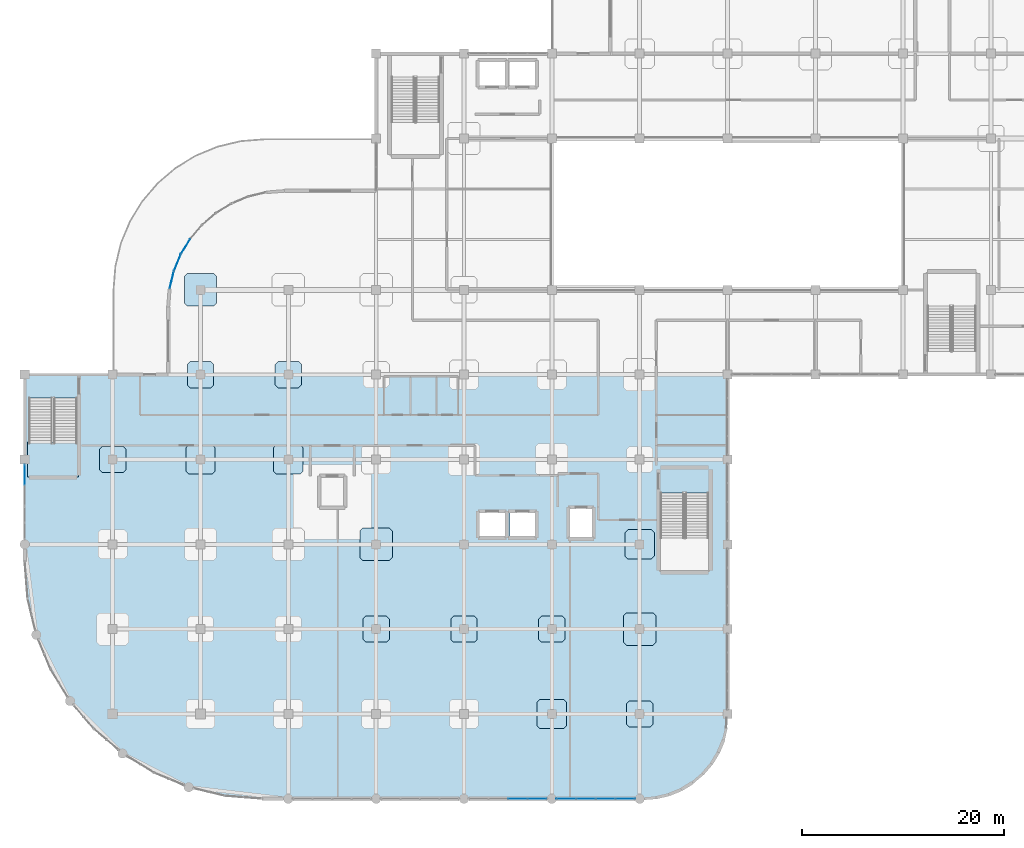
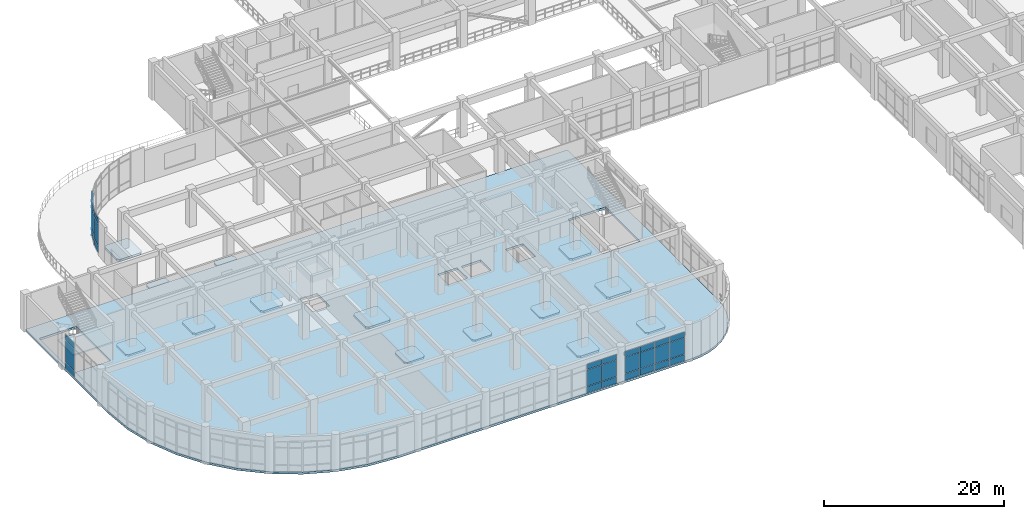
# One storey, part 87 of 120: 31 plates, 16 slabs, 7 elements without a shape of their own.
"""IFC4 building model written with IfcOpenShell, lengths in metres."""

from ifc_helpers import new_model, si_unit, derived_unit, direction, frame, origin, origin_2d, place, context, subcontext, project, spatial, polyline, rectangle, outline, extrude, material, layer, layer_set, type_object, element, aggregate, save


model = new_model("IFC4")

# Units and contexts
model_context = context("Model", 3, precision=1e-05, world=origin(), true_north=direction((0.0, 1.0)))
body_context = subcontext(model_context, "Body", "Model", "MODEL_VIEW")
ifc_project = project(units=[si_unit("LENGTHUNIT", "METRE"), si_unit("AREAUNIT", "SQUARE_METRE"), si_unit("VOLUMEUNIT", "CUBIC_METRE"), si_unit("PLANEANGLEUNIT", "RADIAN"), si_unit("MASSUNIT", "GRAM", prefix="KILO"), derived_unit("THERMALTRANSMITTANCEUNIT", [(si_unit("MASSUNIT", "GRAM", prefix="KILO"), 1), (si_unit("TIMEUNIT", "SECOND"), -3), (si_unit("THERMODYNAMICTEMPERATUREUNIT", "KELVIN"), -1)])], contexts=[model_context])

# Site, building, storey
site_placement = place(None, origin())
site = spatial("IfcSite", under=ifc_project, at=site_placement, CompositionType="ELEMENT")
building_placement = place(site_placement, origin())
building = spatial("IfcBuilding", under=site, at=building_placement, Name="Qinzheling Arcade Emporium", CompositionType="ELEMENT")
storey_placement = place(building_placement, frame((0.0, 0.0, 11.39990234375)))
storey = spatial("IfcBuildingStorey", under=building, at=storey_placement, Name="L03", CompositionType="ELEMENT", Elevation=11.39990234375)

# Slabs
ifc_material_1 = material(Name="Concrete C40", Category="concrete")
ifc_layer_1 = layer(ifc_material_1, 0.235107421875, Name="Concrete C40", Category="concrete")
ifc_layer_set_1 = layer_set([ifc_layer_1], Name="Concrete C40")
slab_type_1 = type_object("IfcSlabType", Name="Column Head Drop Panel 2600x2600x235 C40", PredefinedType="USERDEFINED", material=ifc_layer_set_1)
slab_1_placement = place(storey_placement, frame((0.0, 0.0, -0.514892578125)))
element("IfcSlab", 1, at=slab_1_placement, inside=storey, type_object=slab_type_1, Name="Column Drop Panel DP-L03-2-E", ObjectType="DROP_PANEL", PredefinedType="USERDEFINED", context=body_context, shape_type="SweptSolid", body=[
    extrude(outline(polyline([(7.679931640625, 32.300048828125), (9.719970703125, 32.300048828125), (10.0, 32.580078125), (10.0, 34.6201171875), (9.719970703125, 34.89990234375), (7.679931640625, 34.89990234375), (7.39990234375, 34.6201171875), (7.39990234375, 32.580078125), (7.679931640625, 32.300048828125)])), origin(), (0.0, 0.0, 1.0), 0.235107421875),
])
slab_2_placement = place(storey_placement, frame((0.0, 0.0, -0.514892578125)))
element("IfcSlab", 2, at=slab_2_placement, inside=storey, type_object=slab_type_1, Name="Column Drop Panel DP-L03-3-F", ObjectType="DROP_PANEL", PredefinedType="USERDEFINED", context=body_context, shape_type="SweptSolid", body=[
    extrude(outline(polyline([(16.3798828125, 40.699951171875), (18.419921875, 40.699951171875), (18.699951171875, 40.97998046875), (18.699951171875, 43.02001953125), (18.419921875, 43.300048828125), (16.3798828125, 43.300048828125), (16.10009765625, 43.02001953125), (16.10009765625, 40.97998046875), (16.3798828125, 40.699951171875)])), origin(), (0.0, 0.0, 1.0), 0.235107421875),
])
slab_3_placement = place(storey_placement, frame((0.0, 0.0, -0.514892578125)))
element("IfcSlab", 3, at=slab_3_placement, inside=storey, type_object=slab_type_1, Name="Column Drop Panel DP-L03-4-F", ObjectType="DROP_PANEL", PredefinedType="USERDEFINED", context=body_context, shape_type="SweptSolid", body=[
    extrude(outline(polyline([(25.080078125, 40.699951171875), (27.1201171875, 40.699951171875), (27.39990234375, 40.97998046875), (27.39990234375, 43.02001953125), (27.1201171875, 43.300048828125), (25.080078125, 43.300048828125), (24.800048828125, 43.02001953125), (24.800048828125, 40.97998046875), (25.080078125, 40.699951171875)])), origin(), (0.0, 0.0, 1.0), 0.235107421875),
])
slab_4_placement = place(storey_placement, frame((0.0, 0.0, -0.514892578125)))
element("IfcSlab", 4, at=slab_4_placement, inside=storey, type_object=slab_type_1, Name="Column Drop Panel DP-L03-5-C", ObjectType="DROP_PANEL", PredefinedType="USERDEFINED", context=body_context, shape_type="SweptSolid", body=[
    extrude(outline(polyline([(33.780029296875, 15.5), (35.820068359375, 15.5), (36.10009765625, 15.780029296875), (36.10009765625, 17.820068359375), (35.820068359375, 18.10009765625), (33.780029296875, 18.10009765625), (33.5, 17.820068359375), (33.5, 15.780029296875), (33.780029296875, 15.5)])), origin(), (0.0, 0.0, 1.0), 0.235107421875),
])
slab_5_placement = place(storey_placement, frame((0.0, 0.0, -0.514892578125)))
element("IfcSlab", 5, at=slab_5_placement, inside=storey, type_object=slab_type_1, Name="Column Drop Panel DP-L03-6-C", ObjectType="DROP_PANEL", PredefinedType="USERDEFINED", context=body_context, shape_type="SweptSolid", body=[
    extrude(outline(polyline([(42.47998046875, 15.5), (44.52001953125, 15.5), (44.800048828125, 15.780029296875), (44.800048828125, 17.820068359375), (44.52001953125, 18.10009765625), (42.47998046875, 18.10009765625), (42.199951171875, 17.820068359375), (42.199951171875, 15.780029296875), (42.47998046875, 15.5)])), origin(), (0.0, 0.0, 1.0), 0.235107421875),
])
slab_6_placement = place(storey_placement, frame((0.0, 0.0, -0.514892578125)))
element("IfcSlab", 6, at=slab_6_placement, inside=storey, type_object=slab_type_1, Name="Column Drop Panel DP-L03-7-C", ObjectType="DROP_PANEL", PredefinedType="USERDEFINED", context=body_context, shape_type="SweptSolid", body=[
    extrude(outline(polyline([(51.179931640625, 15.5), (53.219970703125, 15.5), (53.5, 15.780029296875), (53.5, 17.820068359375), (53.219970703125, 18.10009765625), (51.179931640625, 18.10009765625), (50.89990234375, 17.820068359375), (50.89990234375, 15.780029296875), (51.179931640625, 15.5)])), origin(), (0.0, 0.0, 1.0), 0.235107421875),
])
slab_7_placement = place(storey_placement, frame((0.0, 0.0, -0.514892578125)))
element("IfcSlab", 7, at=slab_7_placement, inside=storey, type_object=slab_type_1, Name="Column Drop Panel DP-L03-8-B", ObjectType="DROP_PANEL", PredefinedType="USERDEFINED", context=body_context, shape_type="SweptSolid", body=[
    extrude(outline(polyline([(59.8798828125, 7.10009765625), (61.919921875, 7.10009765625), (62.199951171875, 7.3798828125), (62.199951171875, 9.419921875), (61.919921875, 9.699951171875), (59.8798828125, 9.699951171875), (59.60009765625, 9.419921875), (59.60009765625, 7.3798828125), (59.8798828125, 7.10009765625)])), origin(), (0.0, 0.0, 1.0), 0.235107421875),
])
ifc_layer_2 = layer(ifc_material_1, 0.27001953125, Name="Concrete C40", Category="concrete")
ifc_layer_set_2 = layer_set([ifc_layer_2], Name="Concrete C40")
slab_type_2 = type_object("IfcSlabType", Name="Column Head Drop Panel 2900x2900x270 C40", PredefinedType="USERDEFINED", material=ifc_layer_set_2)
slab_8_placement = place(storey_placement, frame((0.0, 0.0, -0.5498046875)))
element("IfcSlab", 8, at=slab_8_placement, inside=storey, type_object=slab_type_2, Name="Column Drop Panel DP-L03-3-E", ObjectType="DROP_PANEL", PredefinedType="USERDEFINED", context=body_context, shape_type="SweptSolid", body=[
    extrude(outline(polyline([(16.22998046875, 32.14990234375), (18.570068359375, 32.14990234375), (18.85009765625, 32.429931640625), (18.85009765625, 34.77001953125), (18.570068359375, 35.050048828125), (16.22998046875, 35.050048828125), (15.949951171875, 34.77001953125), (15.949951171875, 32.429931640625), (16.22998046875, 32.14990234375)])), origin(), (0.0, 0.0, 1.0), 0.27001953125),
])
slab_9_placement = place(storey_placement, frame((0.0, 0.0, -0.5498046875)))
element("IfcSlab", 9, at=slab_9_placement, inside=storey, type_object=slab_type_2, Name="Column Drop Panel DP-L03-4-E", ObjectType="DROP_PANEL", PredefinedType="USERDEFINED", context=body_context, shape_type="SweptSolid", body=[
    extrude(outline(polyline([(24.929931640625, 32.14990234375), (27.27001953125, 32.14990234375), (27.550048828125, 32.429931640625), (27.550048828125, 34.77001953125), (27.27001953125, 35.050048828125), (24.929931640625, 35.050048828125), (24.64990234375, 34.77001953125), (24.64990234375, 32.429931640625), (24.929931640625, 32.14990234375)])), origin(), (0.0, 0.0, 1.0), 0.27001953125),
])
slab_10_placement = place(storey_placement, frame((0.0, 0.0, -0.5498046875)))
element("IfcSlab", 10, at=slab_10_placement, inside=storey, type_object=slab_type_2, Name="Column Drop Panel DP-L03-7-B", ObjectType="DROP_PANEL", PredefinedType="USERDEFINED", context=body_context, shape_type="SweptSolid", body=[
    extrude(outline(polyline([(51.030029296875, 6.949951171875), (53.3701171875, 6.949951171875), (53.64990234375, 7.22998046875), (53.64990234375, 9.570068359375), (53.3701171875, 9.85009765625), (51.030029296875, 9.85009765625), (50.75, 9.570068359375), (50.75, 7.22998046875), (51.030029296875, 6.949951171875)])), origin(), (0.0, 0.0, 1.0), 0.27001953125),
])
slab_11_placement = place(storey_placement, frame((0.0, 0.0, -0.5498046875)))
element("IfcSlab", 11, at=slab_11_placement, inside=storey, type_object=slab_type_2, Name="Column Drop Panel DP-L03-8-D", ObjectType="DROP_PANEL", PredefinedType="USERDEFINED", context=body_context, shape_type="SweptSolid", body=[
    extrude(outline(polyline([(59.72998046875, 23.75), (62.070068359375, 23.75), (62.35009765625, 24.030029296875), (62.35009765625, 26.3701171875), (62.070068359375, 26.64990234375), (59.72998046875, 26.64990234375), (59.449951171875, 26.3701171875), (59.449951171875, 24.030029296875), (59.72998046875, 23.75)])), origin(), (0.0, 0.0, 1.0), 0.27001953125),
])
ifc_layer_3 = layer(ifc_material_1, 0.300048828125, Name="Concrete C40", Category="concrete")
ifc_layer_set_3 = layer_set([ifc_layer_3], Name="Concrete C40")
slab_type_3 = type_object("IfcSlabType", Name="Column Head Drop Panel 3200x3200x300 C40", PredefinedType="USERDEFINED", material=ifc_layer_set_3)
slab_12_placement = place(storey_placement, frame((0.0, 0.0, -0.579833984375)))
element("IfcSlab", 12, at=slab_12_placement, inside=storey, type_object=slab_type_3, Name="Column Drop Panel DP-L03-3-G", ObjectType="DROP_PANEL", PredefinedType="USERDEFINED", context=body_context, shape_type="SweptSolid", body=[
    extrude(outline(polyline([(16.080078125, 48.800048828125), (18.719970703125, 48.800048828125), (19.0, 49.080078125), (19.0, 51.719970703125), (18.719970703125, 52.0), (16.080078125, 52.0), (15.800048828125, 51.719970703125), (15.800048828125, 49.080078125), (16.080078125, 48.800048828125)])), origin(), (0.0, 0.0, 1.0), 0.300048828125),
])
slab_13_placement = place(storey_placement, frame((0.0, 0.0, -0.579833984375)))
element("IfcSlab", 13, at=slab_13_placement, inside=storey, type_object=slab_type_3, Name="Column Drop Panel DP-L03-5-D", ObjectType="DROP_PANEL", PredefinedType="USERDEFINED", context=body_context, shape_type="SweptSolid", body=[
    extrude(outline(polyline([(33.47998046875, 23.60009765625), (36.1201171875, 23.60009765625), (36.39990234375, 23.8798828125), (36.39990234375, 26.52001953125), (36.1201171875, 26.800048828125), (33.47998046875, 26.800048828125), (33.199951171875, 26.52001953125), (33.199951171875, 23.8798828125), (33.47998046875, 23.60009765625)])), origin(), (0.0, 0.0, 1.0), 0.300048828125),
])
slab_14_placement = place(storey_placement, frame((0.0, 0.0, -0.579833984375)))
element("IfcSlab", 14, at=slab_14_placement, inside=storey, type_object=slab_type_3, Name="Column Drop Panel DP-L03-8-C", ObjectType="DROP_PANEL", PredefinedType="USERDEFINED", context=body_context, shape_type="SweptSolid", body=[
    extrude(outline(polyline([(59.580078125, 15.199951171875), (62.219970703125, 15.199951171875), (62.5, 15.47998046875), (62.5, 18.1201171875), (62.219970703125, 18.39990234375), (59.580078125, 18.39990234375), (59.300048828125, 18.1201171875), (59.300048828125, 15.47998046875), (59.580078125, 15.199951171875)])), origin(), (0.0, 0.0, 1.0), 0.300048828125),
])

# Curtain wall, plates
ifc_material_2 = material(Name="Anodised aluminium and solar-control double glazing", Category="aluminium")
ifc_layer_4 = layer(ifc_material_2, 0.159912109375, Name="Anodised aluminium and solar-control double glazing", Category="aluminium")
ifc_layer_set_4 = layer_set([ifc_layer_4], Name="Anodised aluminium and solar-control double glazing")
curtain_wall_type_1 = type_object("IfcCurtainWallType", Name="Arcade Portal Glazed Curtain Wall", PredefinedType="NOTDEFINED", material=ifc_layer_set_4)
curtain_wall_1_placement = place(storey_placement, origin())
curtain_wall_1 = element("IfcCurtainWall", 15, at=curtain_wall_1_placement, inside=storey, type_object=curtain_wall_type_1, Name="Curtain Wall CW-L03-164", PredefinedType="NOTDEFINED")
ifc_material_3 = material(Name="Laminated solar-control double glazing", Category="glass")
ifc_layer_5 = layer(ifc_material_3, 0.028076171875, Name="Laminated solar-control double glazing", Category="glass")
ifc_layer_set_5 = layer_set([ifc_layer_5], Name="Laminated solar-control double glazing")
plate_type_1 = type_object("IfcPlateType", Name="Low-E Double Glazed Curtain Panel 28mm", PredefinedType="CURTAIN_PANEL", material=ifc_layer_set_5)
plate_1_placement = place(storey_placement, frame((0.0, 32.095947265625, 0.06005859375), z_axis=(0.0, 0.0, 1.0), x_axis=(0.0, 1.0, 0.0)))
plate_1 = element("IfcPlate", 16, at=plate_1_placement, type_object=plate_type_1, Name="CW05 panel 2.1", PredefinedType="CURTAIN_PANEL", context=body_context, shape_type="SweptSolid", body=[
    extrude(rectangle(XDim=1.98388671875, YDim=0.028076171875, at=origin_2d()), origin(), (0.0, 0.0, 1.0), 0.860107421875),
])
plate_2_placement = place(storey_placement, frame((0.0, 32.095947265625, 0.97998046875), z_axis=(0.0, 0.0, 1.0), x_axis=(0.0, 1.0, 0.0)))
plate_2 = element("IfcPlate", 17, at=plate_2_placement, type_object=plate_type_1, Name="CW05 panel 2.2", PredefinedType="CURTAIN_PANEL", context=body_context, shape_type="SweptSolid", body=[
    extrude(rectangle(XDim=1.98388671875, YDim=0.028076171875, at=origin_2d()), origin(), (0.0, 0.0, 1.0), 2.929931640625),
])
plate_3_placement = place(storey_placement, frame((0.0, 32.095947265625, 3.97021484375), z_axis=(0.0, 0.0, 1.0), x_axis=(0.0, 1.0, 0.0)))
plate_3 = element("IfcPlate", 18, at=plate_3_placement, type_object=plate_type_1, Name="CW05 panel 2.3", PredefinedType="CURTAIN_PANEL", context=body_context, shape_type="SweptSolid", body=[
    extrude(rectangle(XDim=1.98388671875, YDim=0.028076171875, at=origin_2d()), origin(), (0.0, 0.0, 1.0), 0.760009765625),
])
aggregate(curtain_wall_1, [plate_1, plate_2, plate_3])

curtain_wall_2_placement = place(storey_placement, origin())
curtain_wall_2 = element("IfcCurtainWall", 19, at=curtain_wall_2_placement, inside=storey, type_object=curtain_wall_type_1, Name="Curtain Wall CW-L03-149", PredefinedType="NOTDEFINED")
ifc_layer_6 = layer(ifc_material_3, 0.029052734375, Name="Laminated solar-control double glazing", Category="glass")
ifc_layer_set_6 = layer_set([ifc_layer_6], Name="Laminated solar-control double glazing")
plate_type_2 = type_object("IfcPlateType", Name="Low-E Double Glazed Curtain Panel 29mm", PredefinedType="CURTAIN_PANEL", material=ifc_layer_set_6)
plate_4_placement = place(storey_placement, frame((59.439697265625, 0.0, 0.06005859375), z_axis=(0.0, 0.0, 1.0), x_axis=(-1.0, 0.0, 0.0)))
plate_4 = element("IfcPlate", 20, at=plate_4_placement, type_object=plate_type_2, Name="CW05 panel 1.1", PredefinedType="CURTAIN_PANEL", context=body_context, shape_type="SweptSolid", body=[
    extrude(rectangle(XDim=1.846435546875, YDim=0.029052734375, at=origin_2d()), origin(), (0.0, 0.0, 1.0), 0.860107421875),
])
plate_5_placement = place(storey_placement, frame((59.439697265625, 0.0, 0.97998046875), z_axis=(0.0, 0.0, 1.0), x_axis=(-1.0, 0.0, 0.0)))
plate_5 = element("IfcPlate", 21, at=plate_5_placement, type_object=plate_type_2, Name="CW05 panel 1.2", PredefinedType="CURTAIN_PANEL", context=body_context, shape_type="SweptSolid", body=[
    extrude(rectangle(XDim=1.846435546875, YDim=0.029052734375, at=origin_2d()), origin(), (0.0, 0.0, 1.0), 2.195068359375),
])
plate_6_placement = place(storey_placement, frame((59.439697265625, 0.0, 3.23486328125), z_axis=(0.0, 0.0, 1.0), x_axis=(-1.0, 0.0, 0.0)))
plate_6 = element("IfcPlate", 22, at=plate_6_placement, type_object=plate_type_2, Name="CW05 panel 1.3", PredefinedType="CURTAIN_PANEL", context=body_context, shape_type="SweptSolid", body=[
    extrude(rectangle(XDim=1.846435546875, YDim=0.029052734375, at=origin_2d()), origin(), (0.0, 0.0, 1.0), 0.760009765625),
])
plate_7_placement = place(storey_placement, frame((57.518310546875, 0.0, 0.06005859375), z_axis=(0.0, 0.0, 1.0), x_axis=(-1.0, 0.0, 0.0)))
plate_7 = element("IfcPlate", 23, at=plate_7_placement, type_object=plate_type_2, Name="CW05 panel 2.1", PredefinedType="CURTAIN_PANEL", context=body_context, shape_type="SweptSolid", body=[
    extrude(rectangle(XDim=1.87646484375, YDim=0.029052734375, at=origin_2d()), origin(), (0.0, 0.0, 1.0), 0.860107421875),
])
plate_8_placement = place(storey_placement, frame((57.518310546875, 0.0, 0.97998046875), z_axis=(0.0, 0.0, 1.0), x_axis=(-1.0, 0.0, 0.0)))
plate_8 = element("IfcPlate", 24, at=plate_8_placement, type_object=plate_type_2, Name="CW05 panel 2.2", PredefinedType="CURTAIN_PANEL", context=body_context, shape_type="SweptSolid", body=[
    extrude(rectangle(XDim=1.87646484375, YDim=0.029052734375, at=origin_2d()), origin(), (0.0, 0.0, 1.0), 2.195068359375),
])
plate_9_placement = place(storey_placement, frame((57.518310546875, 0.0, 3.23486328125), z_axis=(0.0, 0.0, 1.0), x_axis=(-1.0, 0.0, 0.0)))
plate_9 = element("IfcPlate", 25, at=plate_9_placement, type_object=plate_type_2, Name="CW05 panel 2.3", PredefinedType="CURTAIN_PANEL", context=body_context, shape_type="SweptSolid", body=[
    extrude(rectangle(XDim=1.87646484375, YDim=0.029052734375, at=origin_2d()), origin(), (0.0, 0.0, 1.0), 0.760009765625),
])
plate_10_placement = place(storey_placement, frame((55.581787109375, 0.0, 0.06005859375), z_axis=(0.0, 0.0, 1.0), x_axis=(-1.0, 0.0, 0.0)))
plate_10 = element("IfcPlate", 26, at=plate_10_placement, type_object=plate_type_2, Name="CW05 panel 3.1", PredefinedType="CURTAIN_PANEL", context=body_context, shape_type="SweptSolid", body=[
    extrude(rectangle(XDim=1.87646484375, YDim=0.029052734375, at=origin_2d()), origin(), (0.0, 0.0, 1.0), 0.860107421875),
])
plate_11_placement = place(storey_placement, frame((55.581787109375, 0.0, 0.97998046875), z_axis=(0.0, 0.0, 1.0), x_axis=(-1.0, 0.0, 0.0)))
plate_11 = element("IfcPlate", 27, at=plate_11_placement, type_object=plate_type_2, Name="CW05 panel 3.2", PredefinedType="CURTAIN_PANEL", context=body_context, shape_type="SweptSolid", body=[
    extrude(rectangle(XDim=1.87646484375, YDim=0.029052734375, at=origin_2d()), origin(), (0.0, 0.0, 1.0), 2.195068359375),
])
plate_12_placement = place(storey_placement, frame((55.581787109375, 0.0, 3.23486328125), z_axis=(0.0, 0.0, 1.0), x_axis=(-1.0, 0.0, 0.0)))
plate_12 = element("IfcPlate", 28, at=plate_12_placement, type_object=plate_type_2, Name="CW05 panel 3.3", PredefinedType="CURTAIN_PANEL", context=body_context, shape_type="SweptSolid", body=[
    extrude(rectangle(XDim=1.87646484375, YDim=0.029052734375, at=origin_2d()), origin(), (0.0, 0.0, 1.0), 0.760009765625),
])
plate_13_placement = place(storey_placement, frame((53.66015625, 0.0, 0.06005859375), z_axis=(0.0, 0.0, 1.0), x_axis=(-1.0, 0.0, 0.0)))
plate_13 = element("IfcPlate", 29, at=plate_13_placement, type_object=plate_type_2, Name="CW05 panel 4.1", PredefinedType="CURTAIN_PANEL", context=body_context, shape_type="SweptSolid", body=[
    extrude(rectangle(XDim=1.846435546875, YDim=0.029052734375, at=origin_2d()), origin(), (0.0, 0.0, 1.0), 0.860107421875),
])
plate_14_placement = place(storey_placement, frame((53.66015625, 0.0, 0.97998046875), z_axis=(0.0, 0.0, 1.0), x_axis=(-1.0, 0.0, 0.0)))
plate_14 = element("IfcPlate", 30, at=plate_14_placement, type_object=plate_type_2, Name="CW05 panel 4.2", PredefinedType="CURTAIN_PANEL", context=body_context, shape_type="SweptSolid", body=[
    extrude(rectangle(XDim=1.846435546875, YDim=0.029052734375, at=origin_2d()), origin(), (0.0, 0.0, 1.0), 2.195068359375),
])
plate_15_placement = place(storey_placement, frame((53.66015625, 0.0, 3.23486328125), z_axis=(0.0, 0.0, 1.0), x_axis=(-1.0, 0.0, 0.0)))
plate_15 = element("IfcPlate", 31, at=plate_15_placement, type_object=plate_type_2, Name="CW05 panel 4.3", PredefinedType="CURTAIN_PANEL", context=body_context, shape_type="SweptSolid", body=[
    extrude(rectangle(XDim=1.846435546875, YDim=0.029052734375, at=origin_2d()), origin(), (0.0, 0.0, 1.0), 0.760009765625),
])
aggregate(curtain_wall_2, [plate_4, plate_5, plate_6, plate_7, plate_8, plate_9, plate_10, plate_11, plate_12, plate_13, plate_14, plate_15])

ifc_layer_7 = layer(ifc_material_2, 0.159912109375, Name="Anodised aluminium and solar-control double glazing", Category="aluminium")
ifc_layer_set_7 = layer_set([ifc_layer_7], Name="Anodised aluminium and solar-control double glazing")
curtain_wall_type_2 = type_object("IfcCurtainWallType", Name="Curved Ribbon Sales Curtain Wall", PredefinedType="NOTDEFINED", material=ifc_layer_set_7)
curtain_wall_3_placement = place(storey_placement, origin())
curtain_wall_3 = element("IfcCurtainWall", 32, at=curtain_wall_3_placement, inside=storey, type_object=curtain_wall_type_2, Name="Curtain Wall CW-L03-165", PredefinedType="NOTDEFINED")
plate_16_placement = place(storey_placement, frame((14.552490234375, 51.37646484375, 0.06005859375), z_axis=(0.0, 0.0, 1.0), x_axis=(0.23326817027, 0.972412443739, 0.0)))
plate_16 = element("IfcPlate", 33, at=plate_16_placement, type_object=plate_type_2, Name="CW02 panel 1.1", PredefinedType="CURTAIN_PANEL", context=body_context, shape_type="SweptSolid", body=[
    extrude(rectangle(XDim=1.684814453125, YDim=0.029052734375, at=origin_2d()), origin(), (0.0, 0.0, 1.0), 0.860107421875),
])
plate_17_placement = place(storey_placement, frame((14.552490234375, 51.37646484375, 0.97998046875), z_axis=(0.0, 0.0, 1.0), x_axis=(0.23326817027, 0.972412443739, 0.0)))
plate_17 = element("IfcPlate", 34, at=plate_17_placement, type_object=plate_type_2, Name="CW02 panel 1.2", PredefinedType="CURTAIN_PANEL", context=body_context, shape_type="SweptSolid", body=[
    extrude(rectangle(XDim=1.684814453125, YDim=0.029052734375, at=origin_2d()), origin(), (0.0, 0.0, 1.0), 2.929931640625),
])
plate_18_placement = place(storey_placement, frame((14.552490234375, 51.37646484375, 3.97021484375), z_axis=(0.0, 0.0, 1.0), x_axis=(0.23326817027, 0.972412443739, 0.0)))
plate_18 = element("IfcPlate", 35, at=plate_18_placement, type_object=plate_type_2, Name="CW02 panel 1.3", PredefinedType="CURTAIN_PANEL", context=body_context, shape_type="SweptSolid", body=[
    extrude(rectangle(XDim=1.684814453125, YDim=0.029052734375, at=origin_2d()), origin(), (0.0, 0.0, 1.0), 0.760009765625),
])
aggregate(curtain_wall_3, [plate_16, plate_17, plate_18])

curtain_wall_4_placement = place(storey_placement, origin())
curtain_wall_4 = element("IfcCurtainWall", 36, at=curtain_wall_4_placement, inside=storey, type_object=curtain_wall_type_1, Name="Curtain Wall CW-L03-150", PredefinedType="NOTDEFINED")
ifc_layer_8 = layer(ifc_material_3, 0.030029296875, Name="Laminated solar-control double glazing", Category="glass")
ifc_layer_set_8 = layer_set([ifc_layer_8], Name="Laminated solar-control double glazing")
plate_type_3 = type_object("IfcPlateType", Name="Low-E Double Glazed Curtain Panel 30mm", PredefinedType="CURTAIN_PANEL", material=ifc_layer_set_8)
plate_19_placement = place(storey_placement, frame((50.73974609375, 0.0, 0.06005859375), z_axis=(0.0, 0.0, 1.0), x_axis=(-1.0, 0.0, 0.0)))
plate_19 = element("IfcPlate", 37, at=plate_19_placement, type_object=plate_type_3, Name="CW05 panel 1.1", PredefinedType="CURTAIN_PANEL", context=body_context, shape_type="SweptSolid", body=[
    extrude(rectangle(XDim=1.846435546875, YDim=0.030029296875, at=origin_2d()), origin(), (0.0, 0.0, 1.0), 0.860107421875),
])
plate_20_placement = place(storey_placement, frame((50.73974609375, 0.0, 0.97998046875), z_axis=(0.0, 0.0, 1.0), x_axis=(-1.0, 0.0, 0.0)))
plate_20 = element("IfcPlate", 38, at=plate_20_placement, type_object=plate_type_3, Name="CW05 panel 1.2", PredefinedType="CURTAIN_PANEL", context=body_context, shape_type="SweptSolid", body=[
    extrude(rectangle(XDim=1.846435546875, YDim=0.030029296875, at=origin_2d()), origin(), (0.0, 0.0, 1.0), 2.195068359375),
])
plate_21_placement = place(storey_placement, frame((50.73974609375, 0.0, 3.23486328125), z_axis=(0.0, 0.0, 1.0), x_axis=(-1.0, 0.0, 0.0)))
plate_21 = element("IfcPlate", 39, at=plate_21_placement, type_object=plate_type_3, Name="CW05 panel 1.3", PredefinedType="CURTAIN_PANEL", context=body_context, shape_type="SweptSolid", body=[
    extrude(rectangle(XDim=1.846435546875, YDim=0.030029296875, at=origin_2d()), origin(), (0.0, 0.0, 1.0), 0.760009765625),
])
plate_22_placement = place(storey_placement, frame((48.818359375, 0.0, 0.06005859375), z_axis=(0.0, 0.0, 1.0), x_axis=(-1.0, 0.0, 0.0)))
plate_22 = element("IfcPlate", 40, at=plate_22_placement, type_object=plate_type_3, Name="CW05 panel 2.1", PredefinedType="CURTAIN_PANEL", context=body_context, shape_type="SweptSolid", body=[
    extrude(rectangle(XDim=1.87646484375, YDim=0.030029296875, at=origin_2d()), origin(), (0.0, 0.0, 1.0), 0.860107421875),
])
plate_23_placement = place(storey_placement, frame((48.818359375, 0.0, 0.97998046875), z_axis=(0.0, 0.0, 1.0), x_axis=(-1.0, 0.0, 0.0)))
plate_23 = element("IfcPlate", 41, at=plate_23_placement, type_object=plate_type_3, Name="CW05 panel 2.2", PredefinedType="CURTAIN_PANEL", context=body_context, shape_type="SweptSolid", body=[
    extrude(rectangle(XDim=1.87646484375, YDim=0.030029296875, at=origin_2d()), origin(), (0.0, 0.0, 1.0), 2.195068359375),
])
plate_24_placement = place(storey_placement, frame((48.818359375, 0.0, 3.23486328125), z_axis=(0.0, 0.0, 1.0), x_axis=(-1.0, 0.0, 0.0)))
plate_24 = element("IfcPlate", 42, at=plate_24_placement, type_object=plate_type_3, Name="CW05 panel 2.3", PredefinedType="CURTAIN_PANEL", context=body_context, shape_type="SweptSolid", body=[
    extrude(rectangle(XDim=1.87646484375, YDim=0.030029296875, at=origin_2d()), origin(), (0.0, 0.0, 1.0), 0.760009765625),
])
aggregate(curtain_wall_4, [plate_19, plate_20, plate_21, plate_22, plate_23, plate_24])

curtain_wall_5_placement = place(storey_placement, origin())
curtain_wall_5 = element("IfcCurtainWall", 43, at=curtain_wall_5_placement, inside=storey, type_object=curtain_wall_type_2, Name="Curtain Wall CW-L03-166", PredefinedType="NOTDEFINED")
plate_25_placement = place(storey_placement, frame((15.10791015625, 53.08740234375, 0.06005859375), z_axis=(0.0, 0.0, 1.0), x_axis=(0.382449703098, 0.92397631171, 0.0)))
plate_25 = element("IfcPlate", 44, at=plate_25_placement, type_object=plate_type_3, Name="CW02 panel 1.1", PredefinedType="CURTAIN_PANEL", context=body_context, shape_type="SweptSolid", body=[
    extrude(rectangle(XDim=1.68408203125, YDim=0.030029296875, at=origin_2d()), origin(), (0.0, 0.0, 1.0), 0.860107421875),
])
plate_26_placement = place(storey_placement, frame((15.10791015625, 53.08740234375, 0.97998046875), z_axis=(0.0, 0.0, 1.0), x_axis=(0.382449703098, 0.92397631171, 0.0)))
plate_26 = element("IfcPlate", 45, at=plate_26_placement, type_object=plate_type_3, Name="CW02 panel 1.2", PredefinedType="CURTAIN_PANEL", context=body_context, shape_type="SweptSolid", body=[
    extrude(rectangle(XDim=1.68408203125, YDim=0.030029296875, at=origin_2d()), origin(), (0.0, 0.0, 1.0), 2.929931640625),
])
plate_27_placement = place(storey_placement, frame((15.10791015625, 53.08740234375, 3.97021484375), z_axis=(0.0, 0.0, 1.0), x_axis=(0.382449703098, 0.92397631171, 0.0)))
plate_27 = element("IfcPlate", 46, at=plate_27_placement, type_object=plate_type_3, Name="CW02 panel 1.3", PredefinedType="CURTAIN_PANEL", context=body_context, shape_type="SweptSolid", body=[
    extrude(rectangle(XDim=1.68408203125, YDim=0.030029296875, at=origin_2d()), origin(), (0.0, 0.0, 1.0), 0.760009765625),
])
aggregate(curtain_wall_5, [plate_25, plate_26, plate_27])

curtain_wall_6_placement = place(storey_placement, origin())
curtain_wall_6 = element("IfcCurtainWall", 47, at=curtain_wall_6_placement, inside=storey, type_object=curtain_wall_type_2, Name="Curtain Wall CW-L03-167", PredefinedType="NOTDEFINED")
ifc_layer_9 = layer(ifc_material_3, 0.031005859375, Name="Laminated solar-control double glazing", Category="glass")
ifc_layer_set_9 = layer_set([ifc_layer_9], Name="Laminated solar-control double glazing")
plate_type_4 = type_object("IfcPlateType", Name="Low-E Double Glazed Curtain Panel 31mm", PredefinedType="CURTAIN_PANEL", material=ifc_layer_set_9)
plate_28_placement = place(storey_placement, frame((15.924560546875, 54.6904296875, 0.06005859375), z_axis=(0.0, 0.0, 1.0), x_axis=(0.522458119474, 0.852664947911, 0.0)))
plate_28 = element("IfcPlate", 48, at=plate_28_placement, type_object=plate_type_4, Name="CW02 panel 1.1", PredefinedType="CURTAIN_PANEL", context=body_context, shape_type="SweptSolid", body=[
    extrude(rectangle(XDim=1.684814453125, YDim=0.031005859375, at=origin_2d()), origin(), (0.0, 0.0, 1.0), 0.860107421875),
])
plate_29_placement = place(storey_placement, frame((15.924560546875, 54.6904296875, 0.97998046875), z_axis=(0.0, 0.0, 1.0), x_axis=(0.522458119474, 0.852664947911, 0.0)))
plate_29 = element("IfcPlate", 49, at=plate_29_placement, type_object=plate_type_4, Name="CW02 panel 1.2", PredefinedType="CURTAIN_PANEL", context=body_context, shape_type="SweptSolid", body=[
    extrude(rectangle(XDim=1.684814453125, YDim=0.031005859375, at=origin_2d()), origin(), (0.0, 0.0, 1.0), 2.929931640625),
])
plate_30_placement = place(storey_placement, frame((15.924560546875, 54.6904296875, 3.97021484375), z_axis=(0.0, 0.0, 1.0), x_axis=(0.522458119474, 0.852664947911, 0.0)))
plate_30 = element("IfcPlate", 50, at=plate_30_placement, type_object=plate_type_4, Name="CW02 panel 1.3", PredefinedType="CURTAIN_PANEL", context=body_context, shape_type="SweptSolid", body=[
    extrude(rectangle(XDim=1.684814453125, YDim=0.031005859375, at=origin_2d()), origin(), (0.0, 0.0, 1.0), 0.760009765625),
])
aggregate(curtain_wall_6, [plate_28, plate_29, plate_30])

# Slab
ifc_layer_10 = layer(ifc_material_1, 0.280029296875, Name="Concrete C40", Category="concrete")
ifc_layer_set_10 = layer_set([ifc_layer_10], Name="Concrete C40")
slab_type_4 = type_object("IfcSlabType", Name="Retail Two-Way Flat Slab 280 C40", PredefinedType="FLOOR", material=ifc_layer_set_10)
slab_15_placement = place(storey_placement, frame((0.0, 0.0, -0.27978515625)))
element("IfcSlab", 51, at=slab_15_placement, inside=storey, type_object=slab_type_4, Name="Floor Slab SLB-L03-V1", PredefinedType="FLOOR", context=body_context, shape_type="SweptSolid", body=[
    extrude(outline(polyline([(0.0, 29.0), (0.0, 23.5), (0.2890625, 19.823974609375), (1.14990234375, 16.238037109375), (2.56103515625, 12.8310546875), (4.488037109375, 9.68701171875), (6.883056640625, 6.883056640625), (9.68701171875, 4.488037109375), (12.8310546875, 2.56103515625), (16.238037109375, 1.14990234375), (19.823974609375, 0.2890625), (23.5, 0.0), (61.199951171875, 0.0), (62.513916015625, 0.10302734375), (63.7958984375, 0.410888671875), (65.013916015625, 0.916015625), (66.136962890625, 1.60400390625), (67.139892578125, 2.4599609375), (67.99609375, 3.462890625), (68.68408203125, 4.5859375), (69.18896484375, 5.803955078125), (69.4970703125, 7.0859375), (69.60009765625, 8.39990234375), (69.60009765625, 42.0), (26.10009765625, 42.0), (0.0, 42.0), (0.0, 29.0)]), holes=[polyline([(67.739990234375, 22.60009765625), (62.949951171875, 22.60009765625), (62.949951171875, 30.27490234375), (67.739990234375, 30.27490234375), (67.739990234375, 22.60009765625)]), polyline([(54.0, 25.89990234375), (54.0, 28.699951171875), (56.199951171875, 28.699951171875), (56.199951171875, 25.89990234375), (54.0, 25.89990234375)]), polyline([(50.550048828125, 26.0), (48.050048828125, 26.0), (48.050048828125, 28.300048828125), (50.550048828125, 28.300048828125), (50.550048828125, 26.0)]), polyline([(47.550048828125, 26.0), (45.050048828125, 26.0), (45.050048828125, 28.300048828125), (47.550048828125, 28.300048828125), (47.550048828125, 26.0)]), polyline([(29.35009765625, 29.0), (29.35009765625, 31.800048828125), (31.550048828125, 31.800048828125), (31.550048828125, 29.0), (29.35009765625, 29.0)]), polyline([(5.18994140625, 32.0), (0.39990234375, 32.0), (0.39990234375, 39.675048828125), (5.18994140625, 39.675048828125), (5.18994140625, 32.0)])]), origin(), (0.0, 0.0, 1.0), 0.27978515625),
])

# Stair, slab
stair_type = type_object("IfcStairType", Name="Cast-in-Situ Dog-Leg Escape Stair H5100", PredefinedType="HALF_TURN_STAIR", material=ifc_material_1)
stair_placement = place(storey_placement, origin())
stair = element("IfcStair", 52, at=stair_placement, inside=storey, type_object=stair_type, Name="L03 ST02", PredefinedType="HALF_TURN_STAIR")
ifc_layer_11 = layer(ifc_material_1, 0.199951171875, Name="Concrete C40", Category="concrete")
ifc_layer_set_11 = layer_set([ifc_layer_11], Name="Concrete C40")
slab_type_5 = type_object("IfcSlabType", Name="Stair Half-Turn Landing Slab 200 C40", PredefinedType="LANDING", material=ifc_layer_set_11)
slab_16_placement = place(storey_placement, frame((0.0, 0.0, 2.35009765625)))
slab_16 = element("IfcSlab", 53, at=slab_16_placement, type_object=slab_type_5, Name="ST02 landing 1", PredefinedType="LANDING", context=body_context, shape_type="SweptSolid", body=[
    extrude(outline(polyline([(0.280029296875, 35.320068359375), (5.31005859375, 35.320068359375), (5.31005859375, 31.8798828125), (0.280029296875, 31.8798828125), (0.280029296875, 35.320068359375)])), origin(), (0.0, 0.0, 1.0), 0.199951171875),
])
aggregate(stair, [slab_16])

# Plate
ifc_material_4 = material(Name="Perforated anodised aluminium sheet", Category="aluminium")
ifc_layer_12 = layer(ifc_material_4, 0.01806640625, Name="Perforated anodised aluminium sheet", Category="aluminium")
ifc_layer_set_12 = layer_set([ifc_layer_12], Name="Perforated anodised aluminium sheet")
plate_type_5 = type_object("IfcPlateType", Name="Typhoon Storm Louvre Blade 18mm", PredefinedType="SHEET", material=ifc_layer_set_12)
plate_31_placement = place(storey_placement, frame((56.550048828125, 0.0, 3.47998046875), z_axis=(0.0, 0.0, 1.0), x_axis=(-1.0, 0.0, 0.0)))
element("IfcPlate", 54, at=plate_31_placement, inside=storey, type_object=plate_type_5, Name="Storm Louvre PLT-SLV-L03-034", PredefinedType="SHEET", context=body_context, shape_type="SweptSolid", body=[
    extrude(rectangle(XDim=7.77587890625, YDim=0.01806640625, at=origin_2d()), origin(), (0.0, 0.0, 1.0), 0.449951171875),
])

save(model, "model.ifc")
